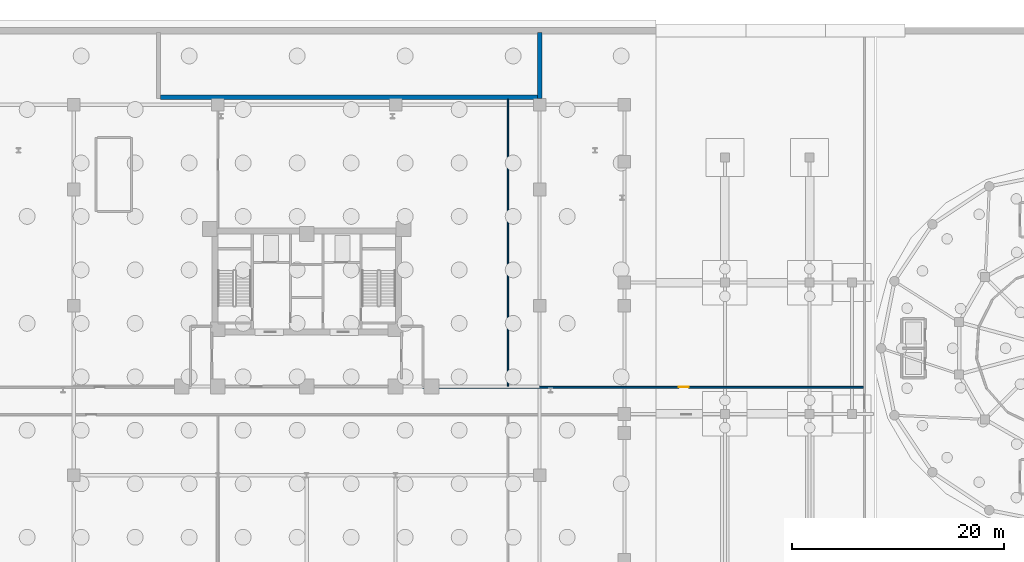
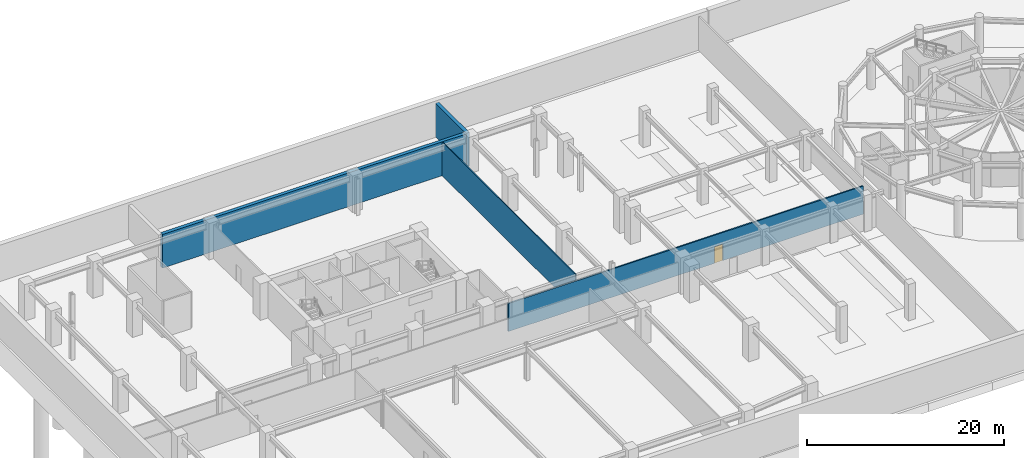
# One storey, part 10 of 15: 4 walls, 1 door, 1 opening.
"""IFC4 building model written with IfcOpenShell, lengths in metres."""

from ifc_helpers import new_model, si_unit, derived_unit, direction, frame, frame_2d, origin, place, context, subcontext, project, spatial, rectangle, extrude, material, layer, layer_set, type_object, element, fill, save


model = new_model("IFC4")

# Units and contexts
model_context = context("Model", 3, precision=1e-05, world=origin(), true_north=direction((0.0, 1.0)))
body_context = subcontext(model_context, "Body", "Model", "MODEL_VIEW")
ifc_project = project(units=[si_unit("LENGTHUNIT", "METRE"), si_unit("AREAUNIT", "SQUARE_METRE"), si_unit("VOLUMEUNIT", "CUBIC_METRE"), si_unit("PLANEANGLEUNIT", "RADIAN"), si_unit("MASSUNIT", "GRAM", prefix="KILO"), derived_unit("THERMALTRANSMITTANCEUNIT", [(si_unit("POWERUNIT", "WATT"), 1), (si_unit("LENGTHUNIT", "METRE"), -2), (si_unit("THERMODYNAMICTEMPERATUREUNIT", "KELVIN"), -1)])], contexts=[model_context])

# Site, building, storey
site_placement = place(None, origin())
site = spatial("IfcSite", under=ifc_project, at=site_placement, CompositionType="ELEMENT")
building_placement = place(site_placement, origin())
building = spatial("IfcBuilding", under=site, at=building_placement, Name="Korsvarv Bourse and Concert Hall", CompositionType="ELEMENT")
storey_placement = place(building_placement, frame((0.0, 0.0, -9.0)))
storey = spatial("IfcBuildingStorey", under=building, at=storey_placement, Name="B02", CompositionType="ELEMENT", Elevation=-9.0)

# Walls
ifc_material_1 = material(Name="Concrete C50/60", Category="concrete")
ifc_layer_1 = layer(ifc_material_1, 0.39990234375)
ifc_layer_set_1 = layer_set([ifc_layer_1], Name="Concrete C50/60")
wall_type_1 = type_object("IfcWallType", Name="WL-DRM-400", PredefinedType="SOLIDWALL", material=ifc_layer_set_1)
wall_1_placement = place(storey_placement, frame((22.199951171875, 59.699951171875, 0.0), z_axis=(0.0, 0.0, 1.0), x_axis=(1.0, 0.0, 0.0)))
element("IfcWall", 1, at=wall_1_placement, inside=storey, type_object=wall_type_1, Name="B02 Vehicle Ramp South Side Bearing Wall", PredefinedType="SOLIDWALL", context=body_context, shape_type="SweptSolid", body=[
    extrude(rectangle(XDim=35.60009765625, YDim=0.39990234375, at=frame_2d((17.800048828125, 0.0))), origin(), (0.0, 0.0, 1.0), 4.179931640625),
])
wall_2_placement = place(storey_placement, frame((58.0, 59.60009765625, 0.0), z_axis=(0.0, 0.0, 1.0), x_axis=(0.0, 1.0, 0.0)))
element("IfcWall", 2, at=wall_2_placement, inside=storey, type_object=wall_type_1, Name="B02 Vehicle Ramp Head Bearing Wall", PredefinedType="SOLIDWALL", context=body_context, shape_type="SweptSolid", body=[
    extrude(rectangle(XDim=6.199951171875, YDim=0.39990234375, at=frame_2d((3.10009765625, 0.0))), origin(), (0.0, 0.0, 1.0), 4.179931640625),
])

# Wall, opening, door
ifc_material_2 = material(Name="Double-stud fire-rated acoustic partition", Category="gypsum")
ifc_layer_2 = layer(ifc_material_2, 0.159912109375)
ifc_layer_set_2 = layer_set([ifc_layer_2], Name="Double-stud fire-rated acoustic partition")
wall_type_2 = type_object("IfcWallType", Name="WL-INT-EI60", PredefinedType="PARTITIONING", material=ifc_layer_set_2)
wall_3_placement = place(storey_placement, frame((46.969970703125, 32.324951171875, 0.0), z_axis=(0.0, 0.0, 1.0), x_axis=(1.0, 0.0, 0.0)))
wall_3 = element("IfcWall", 3, at=wall_3_placement, inside=storey, type_object=wall_type_2, Name="B02 interior partition wall W-B02-BCOR-02", PredefinedType="PARTITIONING", context=body_context, shape_type="SweptSolid", body=[
    extrude(rectangle(XDim=41.60791015625, YDim=0.159912109375, at=frame_2d((20.803955078125, 0.0))), origin(), (0.0, 0.0, 1.0), 3.47998046875),
])
opening_placement = place(wall_3_placement, frame((24.1796875, 0.0, 0.0)))
opening = element("IfcOpeningElement", 4, at=opening_placement, cuts=wall_3, Name="Opening D-02", PredefinedType="OPENING", context=body_context, shape_type="SweptSolid", body=[
    extrude(rectangle(XDim=0.949951171875, YDim=2.050048828125, at=frame_2d((0.47509765625, 1.02490234375))), frame((0.0, 0.08984375, 0.0), z_axis=(0.0, -1.0, 0.0), x_axis=(1.0, 0.0, 0.0)), (0.0, 0.0, 1.0), 0.179931640625),
])
ifc_material_3 = material(Name="Timber and steel acoustic fire door", Category="wood")
door_type = type_object("IfcDoorType", Name="DR-FD30", OperationType="NOTDEFINED", PredefinedType="DOOR", material=ifc_material_3)
door_placement = place(opening_placement, origin())
door = element("IfcDoor", 5, at=door_placement, inside=storey, type_object=door_type, Name="B02 interior door DR-B02-BCOR-STR13", OperationType="SINGLE_SWING_LEFT", OverallHeight=2.050048828125, OverallWidth=0.949951171875, PredefinedType="DOOR", context=body_context, shape_type="SweptSolid", body=[
    extrude(rectangle(XDim=0.949951171875, YDim=2.050048828125, at=frame_2d((0.47509765625, 1.02490234375))), frame((0.0, 0.02490234375, 0.0), z_axis=(0.0, -1.0, 0.0), x_axis=(1.0, 0.0, 0.0)), (0.0, 0.0, 1.0), 0.050048828125),
])
fill(opening, door)

# Wall
ifc_material_4 = material(Name="Demountable acoustic glass and aluminium dealing partition", Category="aluminium")
ifc_layer_3 = layer(ifc_material_4, 0.110107421875)
ifc_layer_set_3 = layer_set([ifc_layer_3], Name="Demountable acoustic glass and aluminium dealing partition")
wall_type_3 = type_object("IfcWallType", Name="WL-INT-MOV", PredefinedType="MOVABLE", material=ifc_layer_set_3)
wall_4_placement = place(storey_placement, frame((55.0048828125, 32.406982421875, 0.0), z_axis=(0.0, 0.0, 1.0), x_axis=(0.0, 1.0, 0.0)))
element("IfcWall", 6, at=wall_4_placement, inside=storey, type_object=wall_type_3, Name="B02 interior partition wall W-B02-BCOR-10", PredefinedType="MOVABLE", context=body_context, shape_type="SweptSolid", body=[
    extrude(rectangle(XDim=27.091064453125, YDim=0.110107421875, at=frame_2d((13.54541015625, 0.0))), origin(), (0.0, 0.0, 1.0), 4.179931640625),
])

save(model, "model.ifc")
